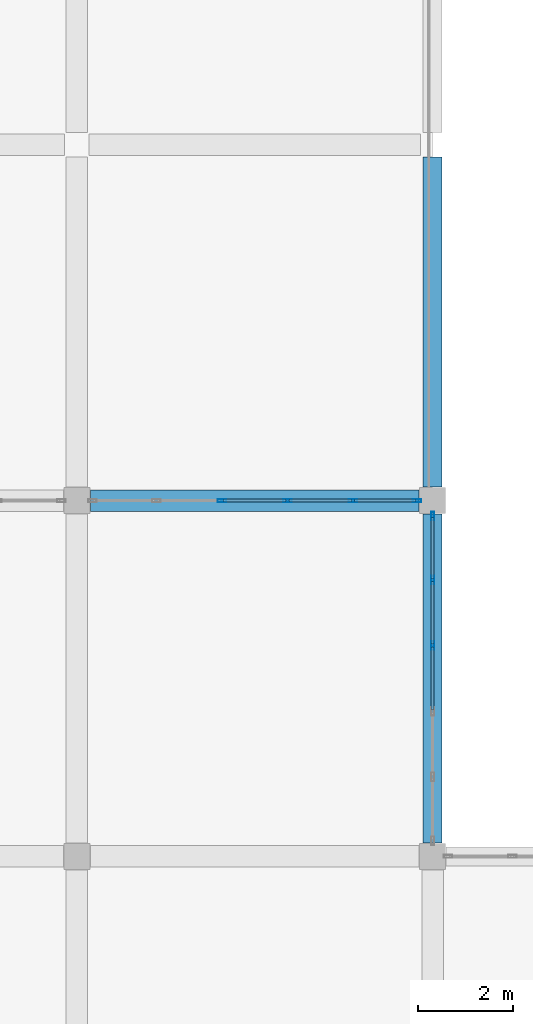
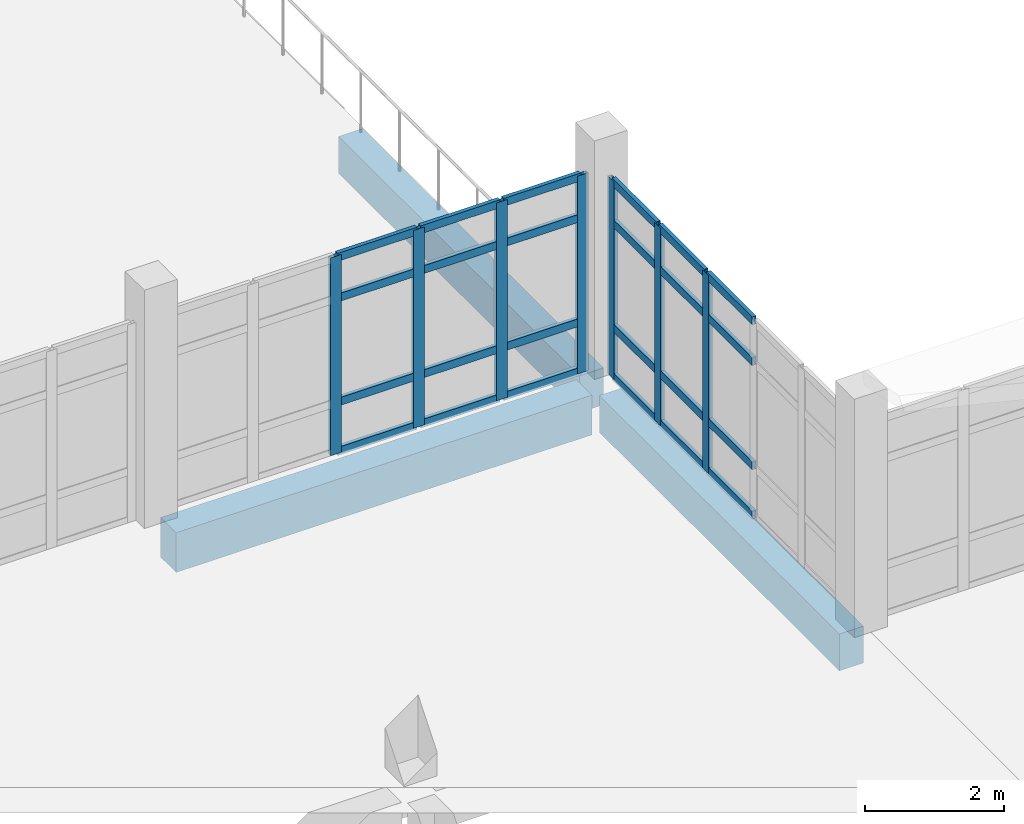
# One storey, part 49 of 164: 31 members, 3 beams, 2 elements without a shape of their own.
"""IFC4 building model written with IfcOpenShell, lengths in metres."""

from ifc_helpers import new_model, si_unit, direction, frame, origin, origin_2d, place, context, subcontext, project, spatial, rectangle, hollow_rectangle, extrude, material, layer, layer_set, material_profile, profile_set, type_object, element, aggregate, save


model = new_model("IFC4")

# Units and contexts
model_context = context("Model", 3, precision=1e-05, world=origin(), true_north=direction((0.0, 1.0)))
body_context = subcontext(model_context, "Body", "Model", "MODEL_VIEW")
ifc_project = project(units=[si_unit("LENGTHUNIT", "METRE"), si_unit("AREAUNIT", "SQUARE_METRE"), si_unit("VOLUMEUNIT", "CUBIC_METRE"), si_unit("PLANEANGLEUNIT", "RADIAN"), si_unit("MASSUNIT", "GRAM", prefix="KILO")], contexts=[model_context])

# Site, building, storey
site_placement = place(None, origin())
site = spatial("IfcSite", under=ifc_project, at=site_placement, CompositionType="ELEMENT")
building_placement = place(site_placement, origin())
building = spatial("IfcBuilding", under=site, at=building_placement, Name="Mawjan Specialist Oncology Clinic", CompositionType="ELEMENT")
storey_placement = place(building_placement, frame((0.0, 0.0, 5.0)))
storey = spatial("IfcBuildingStorey", under=building, at=storey_placement, Name="L01", CompositionType="ELEMENT", Elevation=5.0)

# Beam
ifc_material_1 = material(Name="Concrete C40/50", Category="concrete")
ifc_material_profile_1 = material_profile(ifc_material_1, rectangle(XDim=0.449951171875, YDim=0.699951171875, at=origin_2d()), Name="RC BM 450x700", Category="concrete")
ifc_profile_set_1 = profile_set([ifc_material_profile_1], Name="Concrete C40/50")
beam_type_1 = type_object("IfcBeamType", Name="BM-450x700", PredefinedType="BEAM", material=ifc_profile_set_1)
beam_1_placement = place(storey_placement, frame((37.784912109375, 60.800048828125, -0.64990234375), z_axis=(1.0, 0.0, 0.0), x_axis=(0.0, 1.0, 0.0)))
element("IfcBeam", 1, at=beam_1_placement, inside=storey, type_object=beam_type_1, Name="L01 Collector Beam BM-L01-0296", PredefinedType="BEAM", context=body_context, shape_type="SweptSolid", body=[
    extrude(rectangle(XDim=0.449951171875, YDim=0.699951171875, at=origin_2d()), origin(), (0.0, 0.0, 1.0), 6.93017578125),
])

# Curtain wall, members
ifc_material_2 = material(Name="Unitised spectrally selective aluminium curtain wall", Category="aluminium")
ifc_layer = layer(ifc_material_2, 0.179931640625, Name="Unitised spectrally selective aluminium curtain wall", Category="aluminium")
ifc_layer_set = layer_set([ifc_layer], Name="Unitised spectrally selective aluminium curtain wall")
curtain_wall_type = type_object("IfcCurtainWallType", Name="CW-52", PredefinedType="NOTDEFINED", material=ifc_layer_set)
curtain_wall_1_placement = place(storey_placement, origin())
curtain_wall_1 = element("IfcCurtainWall", 2, at=curtain_wall_1_placement, inside=storey, type_object=curtain_wall_type, Name="L01 Unitised Curtain Wall CW-L01-097", PredefinedType="NOTDEFINED")
ifc_material_3 = material(Name="Thermally broken aluminium 6063-T6", Category="aluminium")
ifc_material_profile_2 = material_profile(ifc_material_3, hollow_rectangle(XDim=0.06494140625, YDim=0.179931640625, WallThickness=0.00390625, at=origin_2d()), Name="ALU MULLION 180x65x4", Category="aluminium")
ifc_profile_set_2 = profile_set([ifc_material_profile_2], Name="Thermally broken aluminium 6063-T6")
member_type_1 = type_object("IfcMemberType", Name="CW-M180", PredefinedType="MULLION", material=ifc_profile_set_2)
member_1_placement = place(storey_placement, frame((45.0, 60.472412109375, 0.0), z_axis=(0.0, 0.0, 1.0), x_axis=(1.0, 0.0, 0.0)))
member_1 = element("IfcMember", 3, at=member_1_placement, type_object=member_type_1, Name="CW-52 mullion 1", PredefinedType="MULLION", context=body_context, shape_type="SweptSolid", body=[
    extrude(hollow_rectangle(XDim=0.06494140625, YDim=0.179931640625, WallThickness=0.00390625, at=origin_2d()), origin(), (0.0, 0.0, 1.0), 3.485107421875),
])
member_2_placement = place(storey_placement, frame((45.0, 59.123046875, 0.0), z_axis=(0.0, 0.0, 1.0), x_axis=(1.0, 0.0, 0.0)))
member_2 = element("IfcMember", 4, at=member_2_placement, type_object=member_type_1, Name="CW-52 mullion 2", PredefinedType="MULLION", context=body_context, shape_type="SweptSolid", body=[
    extrude(hollow_rectangle(XDim=0.06494140625, YDim=0.179931640625, WallThickness=0.00390625, at=origin_2d()), origin(), (0.0, 0.0, 1.0), 3.485107421875),
])
member_3_placement = place(storey_placement, frame((45.0, 57.740966796875, 0.0), z_axis=(0.0, 0.0, 1.0), x_axis=(1.0, 0.0, 0.0)))
member_3 = element("IfcMember", 5, at=member_3_placement, type_object=member_type_1, Name="CW-52 mullion 3", PredefinedType="MULLION", context=body_context, shape_type="SweptSolid", body=[
    extrude(hollow_rectangle(XDim=0.06494140625, YDim=0.179931640625, WallThickness=0.00390625, at=origin_2d()), origin(), (0.0, 0.0, 1.0), 3.485107421875),
])

curtain_wall_2_placement = place(storey_placement, origin())
curtain_wall_2 = element("IfcCurtainWall", 6, at=curtain_wall_2_placement, inside=storey, type_object=curtain_wall_type, Name="L01 Unitised Curtain Wall CW-L01-158", PredefinedType="NOTDEFINED")
member_4_placement = place(storey_placement, frame((40.55908203125, 60.800048828125, 0.0), z_axis=(0.0, 0.0, 1.0), x_axis=(0.0, 1.0, 0.0)))
member_4 = element("IfcMember", 7, at=member_4_placement, type_object=member_type_1, Name="CW-52 mullion 3", PredefinedType="MULLION", context=body_context, shape_type="SweptSolid", body=[
    extrude(hollow_rectangle(XDim=0.06494140625, YDim=0.179931640625, WallThickness=0.00390625, at=origin_2d()), origin(), (0.0, 0.0, 1.0), 3.485107421875),
])
member_5_placement = place(storey_placement, frame((41.94091796875, 60.800048828125, 0.0), z_axis=(0.0, 0.0, 1.0), x_axis=(0.0, 1.0, 0.0)))
member_5 = element("IfcMember", 8, at=member_5_placement, type_object=member_type_1, Name="CW-52 mullion 4", PredefinedType="MULLION", context=body_context, shape_type="SweptSolid", body=[
    extrude(hollow_rectangle(XDim=0.06494140625, YDim=0.179931640625, WallThickness=0.00390625, at=origin_2d()), origin(), (0.0, 0.0, 1.0), 3.485107421875),
])
member_6_placement = place(storey_placement, frame((43.322998046875, 60.800048828125, 0.0), z_axis=(0.0, 0.0, 1.0), x_axis=(0.0, 1.0, 0.0)))
member_6 = element("IfcMember", 9, at=member_6_placement, type_object=member_type_1, Name="CW-52 mullion 5", PredefinedType="MULLION", context=body_context, shape_type="SweptSolid", body=[
    extrude(hollow_rectangle(XDim=0.06494140625, YDim=0.179931640625, WallThickness=0.00390625, at=origin_2d()), origin(), (0.0, 0.0, 1.0), 3.485107421875),
])
member_7_placement = place(storey_placement, frame((44.672607421875, 60.800048828125, 0.0), z_axis=(0.0, 0.0, 1.0), x_axis=(0.0, 1.0, 0.0)))
member_7 = element("IfcMember", 10, at=member_7_placement, type_object=member_type_1, Name="CW-52 mullion 6", PredefinedType="MULLION", context=body_context, shape_type="SweptSolid", body=[
    extrude(hollow_rectangle(XDim=0.06494140625, YDim=0.179931640625, WallThickness=0.00390625, at=origin_2d()), origin(), (0.0, 0.0, 1.0), 3.485107421875),
])

# Member
ifc_material_4 = material(Name="Thermally broken aluminium 6063-T6", Category="aluminium")
ifc_material_profile_3 = material_profile(ifc_material_4, hollow_rectangle(XDim=0.06494140625, YDim=0.139892578125, WallThickness=0.00390625, at=origin_2d()), Name="ALU TRANSOM 140x65x4", Category="aluminium")
ifc_profile_set_3 = profile_set([ifc_material_profile_3], Name="Thermally broken aluminium 6063-T6")
member_type_2 = type_object("IfcMemberType", Name="CW-T140", PredefinedType="USERDEFINED", material=ifc_profile_set_3)
member_8_placement = place(storey_placement, frame((45.0, 60.43994140625, 0.032470703125), z_axis=(0.0, -1.0, 0.0), x_axis=(1.0, 0.0, 0.0)))
member_8 = element("IfcMember", 11, at=member_8_placement, type_object=member_type_2, Name="CW-52 transom 1.1", ObjectType="TRANSOM", PredefinedType="USERDEFINED", context=body_context, shape_type="SweptSolid", body=[
    extrude(hollow_rectangle(XDim=0.06494140625, YDim=0.139892578125, WallThickness=0.00390625, at=origin_2d()), origin(), (0.0, 0.0, 1.0), 1.284423828125),
])

member_9_placement = place(storey_placement, frame((45.0, 60.43994140625, 0.89990234375), z_axis=(0.0, -1.0, 0.0), x_axis=(1.0, 0.0, 0.0)))
member_9 = element("IfcMember", 12, at=member_9_placement, type_object=member_type_2, Name="CW-52 transom 1.2", ObjectType="TRANSOM", PredefinedType="USERDEFINED", context=body_context, shape_type="SweptSolid", body=[
    extrude(hollow_rectangle(XDim=0.06494140625, YDim=0.139892578125, WallThickness=0.00390625, at=origin_2d()), origin(), (0.0, 0.0, 1.0), 1.284423828125),
])

member_10_placement = place(storey_placement, frame((45.0, 60.43994140625, 2.735107421875), z_axis=(0.0, -1.0, 0.0), x_axis=(1.0, 0.0, 0.0)))
member_10 = element("IfcMember", 13, at=member_10_placement, type_object=member_type_2, Name="CW-52 transom 1.3", ObjectType="TRANSOM", PredefinedType="USERDEFINED", context=body_context, shape_type="SweptSolid", body=[
    extrude(hollow_rectangle(XDim=0.06494140625, YDim=0.139892578125, WallThickness=0.00390625, at=origin_2d()), origin(), (0.0, 0.0, 1.0), 1.284423828125),
])

member_11_placement = place(storey_placement, frame((45.0, 60.43994140625, 3.452392578125), z_axis=(0.0, -1.0, 0.0), x_axis=(1.0, 0.0, 0.0)))
member_11 = element("IfcMember", 14, at=member_11_placement, type_object=member_type_2, Name="CW-52 transom 1.4", ObjectType="TRANSOM", PredefinedType="USERDEFINED", context=body_context, shape_type="SweptSolid", body=[
    extrude(hollow_rectangle(XDim=0.06494140625, YDim=0.139892578125, WallThickness=0.00390625, at=origin_2d()), origin(), (0.0, 0.0, 1.0), 1.284423828125),
])

member_12_placement = place(storey_placement, frame((45.0, 59.090576171875, 0.032470703125), z_axis=(0.0, -1.0, 0.0), x_axis=(1.0, 0.0, 0.0)))
member_12 = element("IfcMember", 15, at=member_12_placement, type_object=member_type_2, Name="CW-52 transom 2.1", ObjectType="TRANSOM", PredefinedType="USERDEFINED", context=body_context, shape_type="SweptSolid", body=[
    extrude(hollow_rectangle(XDim=0.06494140625, YDim=0.139892578125, WallThickness=0.00390625, at=origin_2d()), origin(), (0.0, 0.0, 1.0), 1.317138671875),
])

member_13_placement = place(storey_placement, frame((45.0, 59.090576171875, 0.89990234375), z_axis=(0.0, -1.0, 0.0), x_axis=(1.0, 0.0, 0.0)))
member_13 = element("IfcMember", 16, at=member_13_placement, type_object=member_type_2, Name="CW-52 transom 2.2", ObjectType="TRANSOM", PredefinedType="USERDEFINED", context=body_context, shape_type="SweptSolid", body=[
    extrude(hollow_rectangle(XDim=0.06494140625, YDim=0.139892578125, WallThickness=0.00390625, at=origin_2d()), origin(), (0.0, 0.0, 1.0), 1.317138671875),
])

member_14_placement = place(storey_placement, frame((45.0, 59.090576171875, 2.735107421875), z_axis=(0.0, -1.0, 0.0), x_axis=(1.0, 0.0, 0.0)))
member_14 = element("IfcMember", 17, at=member_14_placement, type_object=member_type_2, Name="CW-52 transom 2.3", ObjectType="TRANSOM", PredefinedType="USERDEFINED", context=body_context, shape_type="SweptSolid", body=[
    extrude(hollow_rectangle(XDim=0.06494140625, YDim=0.139892578125, WallThickness=0.00390625, at=origin_2d()), origin(), (0.0, 0.0, 1.0), 1.317138671875),
])

member_15_placement = place(storey_placement, frame((45.0, 59.090576171875, 3.452392578125), z_axis=(0.0, -1.0, 0.0), x_axis=(1.0, 0.0, 0.0)))
member_15 = element("IfcMember", 18, at=member_15_placement, type_object=member_type_2, Name="CW-52 transom 2.4", ObjectType="TRANSOM", PredefinedType="USERDEFINED", context=body_context, shape_type="SweptSolid", body=[
    extrude(hollow_rectangle(XDim=0.06494140625, YDim=0.139892578125, WallThickness=0.00390625, at=origin_2d()), origin(), (0.0, 0.0, 1.0), 1.317138671875),
])

member_16_placement = place(storey_placement, frame((45.0, 57.70849609375, 0.032470703125), z_axis=(0.0, -1.0, 0.0), x_axis=(1.0, 0.0, 0.0)))
member_16 = element("IfcMember", 19, at=member_16_placement, type_object=member_type_2, Name="CW-52 transom 3.1", ObjectType="TRANSOM", PredefinedType="USERDEFINED", context=body_context, shape_type="SweptSolid", body=[
    extrude(hollow_rectangle(XDim=0.06494140625, YDim=0.139892578125, WallThickness=0.00390625, at=origin_2d()), origin(), (0.0, 0.0, 1.0), 1.31689453125),
])

member_17_placement = place(storey_placement, frame((45.0, 57.70849609375, 0.89990234375), z_axis=(0.0, -1.0, 0.0), x_axis=(1.0, 0.0, 0.0)))
member_17 = element("IfcMember", 20, at=member_17_placement, type_object=member_type_2, Name="CW-52 transom 3.2", ObjectType="TRANSOM", PredefinedType="USERDEFINED", context=body_context, shape_type="SweptSolid", body=[
    extrude(hollow_rectangle(XDim=0.06494140625, YDim=0.139892578125, WallThickness=0.00390625, at=origin_2d()), origin(), (0.0, 0.0, 1.0), 1.31689453125),
])

member_18_placement = place(storey_placement, frame((45.0, 57.70849609375, 2.735107421875), z_axis=(0.0, -1.0, 0.0), x_axis=(1.0, 0.0, 0.0)))
member_18 = element("IfcMember", 21, at=member_18_placement, type_object=member_type_2, Name="CW-52 transom 3.3", ObjectType="TRANSOM", PredefinedType="USERDEFINED", context=body_context, shape_type="SweptSolid", body=[
    extrude(hollow_rectangle(XDim=0.06494140625, YDim=0.139892578125, WallThickness=0.00390625, at=origin_2d()), origin(), (0.0, 0.0, 1.0), 1.31689453125),
])

member_19_placement = place(storey_placement, frame((45.0, 57.70849609375, 3.452392578125), z_axis=(0.0, -1.0, 0.0), x_axis=(1.0, 0.0, 0.0)))
member_19 = element("IfcMember", 22, at=member_19_placement, type_object=member_type_2, Name="CW-52 transom 3.4", ObjectType="TRANSOM", PredefinedType="USERDEFINED", context=body_context, shape_type="SweptSolid", body=[
    extrude(hollow_rectangle(XDim=0.06494140625, YDim=0.139892578125, WallThickness=0.00390625, at=origin_2d()), origin(), (0.0, 0.0, 1.0), 1.31689453125),
])

aggregate(curtain_wall_1, [member_1, member_2, member_3, member_8, member_9, member_10, member_11, member_12, member_13, member_14, member_15, member_16, member_17, member_18, member_19])

member_20_placement = place(storey_placement, frame((40.591552734375, 60.800048828125, 0.032470703125), z_axis=(1.0, 0.0, 0.0), x_axis=(0.0, 1.0, 0.0)))
member_20 = element("IfcMember", 23, at=member_20_placement, type_object=member_type_2, Name="CW-52 transom 3.1", ObjectType="TRANSOM", PredefinedType="USERDEFINED", context=body_context, shape_type="SweptSolid", body=[
    extrude(hollow_rectangle(XDim=0.06494140625, YDim=0.139892578125, WallThickness=0.00390625, at=origin_2d()), origin(), (0.0, 0.0, 1.0), 1.31689453125),
])

member_21_placement = place(storey_placement, frame((40.591552734375, 60.800048828125, 0.89990234375), z_axis=(1.0, 0.0, 0.0), x_axis=(0.0, 1.0, 0.0)))
member_21 = element("IfcMember", 24, at=member_21_placement, type_object=member_type_2, Name="CW-52 transom 3.2", ObjectType="TRANSOM", PredefinedType="USERDEFINED", context=body_context, shape_type="SweptSolid", body=[
    extrude(hollow_rectangle(XDim=0.06494140625, YDim=0.139892578125, WallThickness=0.00390625, at=origin_2d()), origin(), (0.0, 0.0, 1.0), 1.31689453125),
])

member_22_placement = place(storey_placement, frame((40.591552734375, 60.800048828125, 2.735107421875), z_axis=(1.0, 0.0, 0.0), x_axis=(0.0, 1.0, 0.0)))
member_22 = element("IfcMember", 25, at=member_22_placement, type_object=member_type_2, Name="CW-52 transom 3.3", ObjectType="TRANSOM", PredefinedType="USERDEFINED", context=body_context, shape_type="SweptSolid", body=[
    extrude(hollow_rectangle(XDim=0.06494140625, YDim=0.139892578125, WallThickness=0.00390625, at=origin_2d()), origin(), (0.0, 0.0, 1.0), 1.31689453125),
])

member_23_placement = place(storey_placement, frame((40.591552734375, 60.800048828125, 3.452392578125), z_axis=(1.0, 0.0, 0.0), x_axis=(0.0, 1.0, 0.0)))
member_23 = element("IfcMember", 26, at=member_23_placement, type_object=member_type_2, Name="CW-52 transom 3.4", ObjectType="TRANSOM", PredefinedType="USERDEFINED", context=body_context, shape_type="SweptSolid", body=[
    extrude(hollow_rectangle(XDim=0.06494140625, YDim=0.139892578125, WallThickness=0.00390625, at=origin_2d()), origin(), (0.0, 0.0, 1.0), 1.31689453125),
])

member_24_placement = place(storey_placement, frame((41.973388671875, 60.800048828125, 0.032470703125), z_axis=(1.0, 0.0, 0.0), x_axis=(0.0, 1.0, 0.0)))
member_24 = element("IfcMember", 27, at=member_24_placement, type_object=member_type_2, Name="CW-52 transom 4.1", ObjectType="TRANSOM", PredefinedType="USERDEFINED", context=body_context, shape_type="SweptSolid", body=[
    extrude(hollow_rectangle(XDim=0.06494140625, YDim=0.139892578125, WallThickness=0.00390625, at=origin_2d()), origin(), (0.0, 0.0, 1.0), 1.317138671875),
])

member_25_placement = place(storey_placement, frame((41.973388671875, 60.800048828125, 0.89990234375), z_axis=(1.0, 0.0, 0.0), x_axis=(0.0, 1.0, 0.0)))
member_25 = element("IfcMember", 28, at=member_25_placement, type_object=member_type_2, Name="CW-52 transom 4.2", ObjectType="TRANSOM", PredefinedType="USERDEFINED", context=body_context, shape_type="SweptSolid", body=[
    extrude(hollow_rectangle(XDim=0.06494140625, YDim=0.139892578125, WallThickness=0.00390625, at=origin_2d()), origin(), (0.0, 0.0, 1.0), 1.317138671875),
])

member_26_placement = place(storey_placement, frame((41.973388671875, 60.800048828125, 2.735107421875), z_axis=(1.0, 0.0, 0.0), x_axis=(0.0, 1.0, 0.0)))
member_26 = element("IfcMember", 29, at=member_26_placement, type_object=member_type_2, Name="CW-52 transom 4.3", ObjectType="TRANSOM", PredefinedType="USERDEFINED", context=body_context, shape_type="SweptSolid", body=[
    extrude(hollow_rectangle(XDim=0.06494140625, YDim=0.139892578125, WallThickness=0.00390625, at=origin_2d()), origin(), (0.0, 0.0, 1.0), 1.317138671875),
])

member_27_placement = place(storey_placement, frame((41.973388671875, 60.800048828125, 3.452392578125), z_axis=(1.0, 0.0, 0.0), x_axis=(0.0, 1.0, 0.0)))
member_27 = element("IfcMember", 30, at=member_27_placement, type_object=member_type_2, Name="CW-52 transom 4.4", ObjectType="TRANSOM", PredefinedType="USERDEFINED", context=body_context, shape_type="SweptSolid", body=[
    extrude(hollow_rectangle(XDim=0.06494140625, YDim=0.139892578125, WallThickness=0.00390625, at=origin_2d()), origin(), (0.0, 0.0, 1.0), 1.317138671875),
])

member_28_placement = place(storey_placement, frame((43.35546875, 60.800048828125, 0.032470703125), z_axis=(1.0, 0.0, 0.0), x_axis=(0.0, 1.0, 0.0)))
member_28 = element("IfcMember", 31, at=member_28_placement, type_object=member_type_2, Name="CW-52 transom 5.1", ObjectType="TRANSOM", PredefinedType="USERDEFINED", context=body_context, shape_type="SweptSolid", body=[
    extrude(hollow_rectangle(XDim=0.06494140625, YDim=0.139892578125, WallThickness=0.00390625, at=origin_2d()), origin(), (0.0, 0.0, 1.0), 1.284423828125),
])

member_29_placement = place(storey_placement, frame((43.35546875, 60.800048828125, 0.89990234375), z_axis=(1.0, 0.0, 0.0), x_axis=(0.0, 1.0, 0.0)))
member_29 = element("IfcMember", 32, at=member_29_placement, type_object=member_type_2, Name="CW-52 transom 5.2", ObjectType="TRANSOM", PredefinedType="USERDEFINED", context=body_context, shape_type="SweptSolid", body=[
    extrude(hollow_rectangle(XDim=0.06494140625, YDim=0.139892578125, WallThickness=0.00390625, at=origin_2d()), origin(), (0.0, 0.0, 1.0), 1.284423828125),
])

member_30_placement = place(storey_placement, frame((43.35546875, 60.800048828125, 2.735107421875), z_axis=(1.0, 0.0, 0.0), x_axis=(0.0, 1.0, 0.0)))
member_30 = element("IfcMember", 33, at=member_30_placement, type_object=member_type_2, Name="CW-52 transom 5.3", ObjectType="TRANSOM", PredefinedType="USERDEFINED", context=body_context, shape_type="SweptSolid", body=[
    extrude(hollow_rectangle(XDim=0.06494140625, YDim=0.139892578125, WallThickness=0.00390625, at=origin_2d()), origin(), (0.0, 0.0, 1.0), 1.284423828125),
])

member_31_placement = place(storey_placement, frame((43.35546875, 60.800048828125, 3.452392578125), z_axis=(1.0, 0.0, 0.0), x_axis=(0.0, 1.0, 0.0)))
member_31 = element("IfcMember", 34, at=member_31_placement, type_object=member_type_2, Name="CW-52 transom 5.4", ObjectType="TRANSOM", PredefinedType="USERDEFINED", context=body_context, shape_type="SweptSolid", body=[
    extrude(hollow_rectangle(XDim=0.06494140625, YDim=0.139892578125, WallThickness=0.00390625, at=origin_2d()), origin(), (0.0, 0.0, 1.0), 1.284423828125),
])

aggregate(curtain_wall_2, [member_4, member_5, member_6, member_7, member_20, member_21, member_22, member_23, member_24, member_25, member_26, member_27, member_28, member_29, member_30, member_31])

# Beams
ifc_material_5 = material(Name="Concrete C45/55", Category="concrete")
ifc_material_profile_4 = material_profile(ifc_material_5, rectangle(XDim=0.39990234375, YDim=0.64990234375, at=origin_2d()), Name="RC BM 400x650", Category="concrete")
ifc_profile_set_4 = profile_set([ifc_material_profile_4], Name="Concrete C45/55")
beam_type_2 = type_object("IfcBeamType", Name="SP-400x650", PredefinedType="SPANDREL", material=ifc_profile_set_4)
beam_2_placement = place(storey_placement, frame((45.0, 53.5849609375, -0.625), z_axis=(0.0, 1.0, 0.0), x_axis=(-1.0, 0.0, 0.0)))
element("IfcBeam", 35, at=beam_2_placement, inside=storey, type_object=beam_type_2, Name="L01 Spandrel Beam BM-L01-0476", PredefinedType="SPANDREL", context=body_context, shape_type="SweptSolid", body=[
    extrude(rectangle(XDim=0.39990234375, YDim=0.64990234375, at=origin_2d()), origin(), (0.0, 0.0, 1.0), 6.929931640625),
])
beam_3_placement = place(storey_placement, frame((45.0, 61.0849609375, -0.625), z_axis=(0.0, 1.0, 0.0), x_axis=(-1.0, 0.0, 0.0)))
element("IfcBeam", 36, at=beam_3_placement, inside=storey, type_object=beam_type_2, Name="L01 Spandrel Beam BM-L01-0477", PredefinedType="SPANDREL", context=body_context, shape_type="SweptSolid", body=[
    extrude(rectangle(XDim=0.39990234375, YDim=0.64990234375, at=origin_2d()), origin(), (0.0, 0.0, 1.0), 6.955078125),
])

save(model, "model.ifc")
